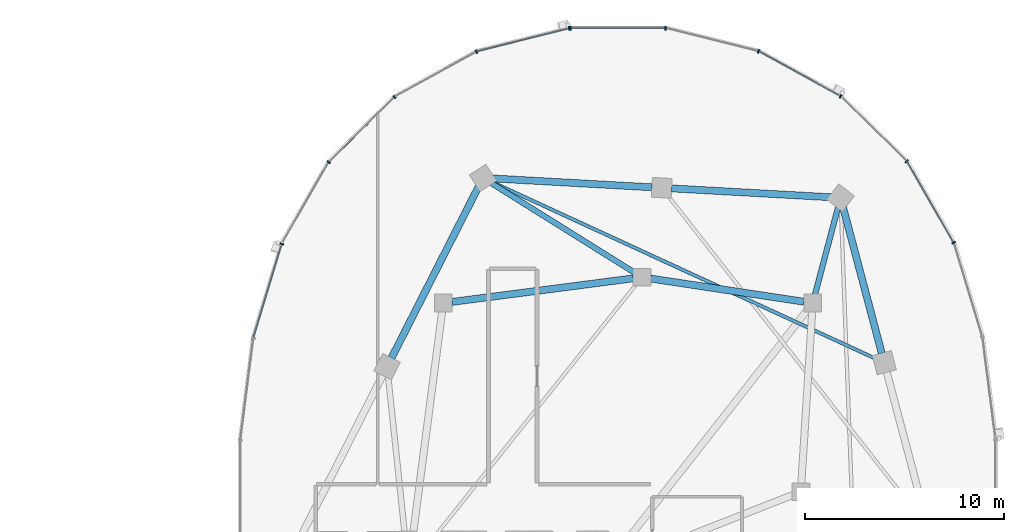
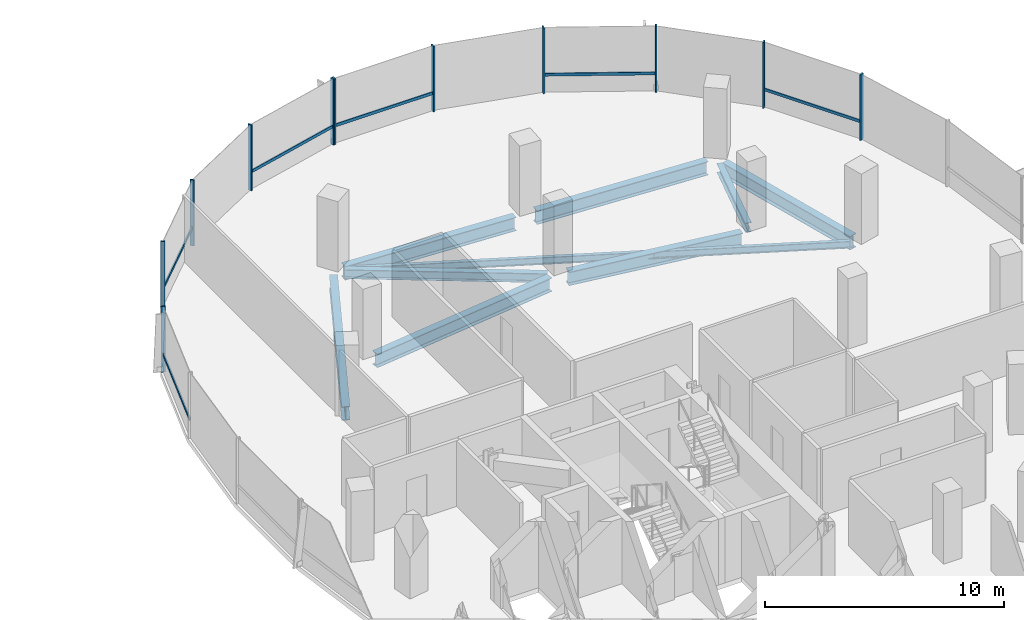
# One storey, part 9 of 22: 17 members, 9 beams, 2 elements without a shape of their own.
"""IFC4 building model written with IfcOpenShell, lengths in metres."""

from ifc_helpers import new_model, si_unit, direction, frame, origin, origin_2d, place, context, subcontext, project, spatial, rectangle, i_section, extrude, material, material_profile, profile_set, type_object, element, aggregate, save


model = new_model("IFC4")

# Units and contexts
model_context = context("Model", 3, precision=1e-05, world=origin(), true_north=direction((0.0, 1.0)))
body_context = subcontext(model_context, "Body", "Model", "MODEL_VIEW")
ifc_project = project(units=[si_unit("LENGTHUNIT", "METRE"), si_unit("AREAUNIT", "SQUARE_METRE"), si_unit("VOLUMEUNIT", "CUBIC_METRE"), si_unit("PLANEANGLEUNIT", "RADIAN"), si_unit("MASSUNIT", "GRAM", prefix="KILO"), si_unit("THERMODYNAMICTEMPERATUREUNIT", "KELVIN"), si_unit("POWERUNIT", "WATT")], contexts=[model_context])

# Site, building, storey
site_placement = place(None, origin())
site = spatial("IfcSite", under=ifc_project, at=site_placement, CompositionType="ELEMENT")
building_placement = place(site_placement, origin())
building = spatial("IfcBuilding", under=site, at=building_placement, Name="Cundina Bronze Exchange", CompositionType="ELEMENT")
storey_placement = place(building_placement, frame((0.0, 0.0, 140.39990234375)))
storey = spatial("IfcBuildingStorey", under=building, at=storey_placement, Name="L36", CompositionType="ELEMENT", Elevation=140.39990234375)

# Beams
ifc_material_1 = material(Name="Steel ASTM A992 Grade 50", Category="steel")
ifc_material_profile_1 = material_profile(ifc_material_1, i_section(OverallWidth=0.280029296875, OverallDepth=0.462890625, WebThickness=0.0107421875, FlangeThickness=0.017333984375, FilletRadius=0.011962890625, at=origin_2d()), Name="W18X76", Category="steel")
ifc_profile_set_1 = profile_set([ifc_material_profile_1], Name="Steel ASTM A992 Grade 50")
beam_type_1 = type_object("IfcBeamType", Name="BM-FLR-W18A", PredefinedType="BEAM", material=ifc_profile_set_1)
beam_1_placement = place(storey_placement, frame((41.911865234375, 9.923583984375, -0.471435546875), z_axis=(0.255413807463, 0.966831829719, 0.0), x_axis=(-0.966831829719, 0.255413807463, 0.0)))
element("IfcBeam", 1, at=beam_1_placement, inside=storey, type_object=beam_type_1, Name="L36 Leg E Chordal Floor Beam 10", PredefinedType="BEAM", context=body_context, shape_type="SweptSolid", body=[
    extrude(i_section(OverallWidth=0.280029296875, OverallDepth=0.462890625, WebThickness=0.0107421875, FlangeThickness=0.017333984375, FilletRadius=0.011962890625, at=origin_2d()), origin(), (0.0, 0.0, 1.0), 4.5556640625),
])
beam_2_placement = place(storey_placement, frame((32.82861328125, 11.031982421875, -0.471435546875), z_axis=(-0.847985407265, 0.530019574228, 0.0), x_axis=(-0.530019574228, -0.847985407265, 0.0)))
element("IfcBeam", 2, at=beam_2_placement, inside=storey, type_object=beam_type_1, Name="L36 Leg E Chordal Floor Beam 12", PredefinedType="BEAM", context=body_context, shape_type="SweptSolid", body=[
    extrude(i_section(OverallWidth=0.280029296875, OverallDepth=0.462890625, WebThickness=0.0107421875, FlangeThickness=0.017333984375, FilletRadius=0.011962890625, at=origin_2d()), origin(), (0.0, 0.0, 1.0), 8.50830078125),
])
ifc_material_profile_2 = material_profile(ifc_material_1, i_section(OverallWidth=0.172119140625, OverallDepth=0.35791015625, WebThickness=0.0078125, FlangeThickness=0.01318359375, FilletRadius=0.010009765625, at=origin_2d()), Name="W14X38", Category="steel")
ifc_profile_set_2 = profile_set([ifc_material_profile_2], Name="Steel ASTM A992 Grade 50")
beam_type_2 = type_object("IfcBeamType", Name="BM-JST-W14", PredefinedType="JOIST", material=ifc_profile_set_2)
beam_3_placement = place(storey_placement, frame((44.956787109375, 6.7041015625, -0.4189453125), z_axis=(-0.908353865734, 0.418202408655, 0.0), x_axis=(-0.418202408655, -0.908353865734, 0.0)))
element("IfcBeam", 3, at=beam_3_placement, inside=storey, type_object=beam_type_2, Name="L36 Leg E Lobe Floor Joist 09-12", PredefinedType="JOIST", context=body_context, shape_type="SweptSolid", body=[
    extrude(i_section(OverallWidth=0.172119140625, OverallDepth=0.35791015625, WebThickness=0.0078125, FlangeThickness=0.01318359375, FilletRadius=0.010009765625, at=origin_2d()), origin(), (0.0, 0.0, 1.0), 21.261962890625),
])
ifc_material_profile_3 = material_profile(ifc_material_1, i_section(OverallWidth=0.35498046875, OverallDepth=0.695068359375, WebThickness=0.015380859375, FlangeThickness=0.02490234375, FilletRadius=0.01806640625, at=origin_2d()), Name="W27X146", Category="steel")
ifc_profile_set_3 = profile_set([ifc_material_profile_3], Name="Steel ASTM A992 Grade 50")
beam_type_3 = type_object("IfcBeamType", Name="BM-RING-W27", PredefinedType="USERDEFINED", material=ifc_profile_set_3)
beam_4_placement = place(storey_placement, frame((41.366943359375, 9.5654296875, -0.58740234375), z_axis=(-0.988764903598, 0.149478979839, 0.0), x_axis=(-0.149478979839, -0.988764903598, 0.0)))
element("IfcBeam", 4, at=beam_4_placement, inside=storey, type_object=beam_type_3, Name="L36 E Inner Structural Ring Girder 05", ObjectType="GIRDER", PredefinedType="USERDEFINED", context=body_context, shape_type="SweptSolid", body=[
    extrude(i_section(OverallWidth=0.35498046875, OverallDepth=0.695068359375, WebThickness=0.015380859375, FlangeThickness=0.02490234375, FilletRadius=0.01806640625, at=origin_2d()), origin(), (0.0, 0.0, 1.0), 7.82177734375),
])
beam_5_placement = place(storey_placement, frame((32.765625, 10.743408203125, -0.58740234375), z_axis=(-0.991656498582, -0.128908451316, 0.0), x_axis=(0.128908451316, -0.991656498582, 0.0)))
element("IfcBeam", 5, at=beam_5_placement, inside=storey, type_object=beam_type_3, Name="L36 E Inner Structural Ring Girder 06", ObjectType="GIRDER", PredefinedType="USERDEFINED", context=body_context, shape_type="SweptSolid", body=[
    extrude(i_section(OverallWidth=0.35498046875, OverallDepth=0.695068359375, WebThickness=0.015380859375, FlangeThickness=0.02490234375, FilletRadius=0.01806640625, at=origin_2d()), origin(), (0.0, 0.0, 1.0), 9.208251953125),
])
beam_6_placement = place(storey_placement, frame((45.27490234375, 6.9716796875, -0.58740234375), z_axis=(-0.256210841755, 0.96662092082, 0.0), x_axis=(-0.96662092082, -0.256210841755, 0.0)))
element("IfcBeam", 6, at=beam_6_placement, inside=storey, type_object=beam_type_3, Name="L36 E Perimeter Ring Girder 09", ObjectType="GIRDER", PredefinedType="USERDEFINED", context=body_context, shape_type="SweptSolid", body=[
    extrude(i_section(OverallWidth=0.35498046875, OverallDepth=0.695068359375, WebThickness=0.015380859375, FlangeThickness=0.02490234375, FilletRadius=0.01806640625, at=origin_2d()), origin(), (0.0, 0.0, 1.0), 7.61083984375),
])
for number, where, z_axis, x_axis, name in (
    (7, (42.712890625, 14.8271484375, -0.58740234375), (-0.998460820451, 0.055461608559, 0.0), (-0.055461608559, -0.998460820451, 0.0), "L36 E Perimeter Ring Girder 10"),
    (8, (33.712890625, 15.3271484375, -0.58740234375), (-0.998460820451, 0.055461608559, 0.0), (-0.055461608559, -0.998460820451, 0.0), "L36 E Perimeter Ring Girder 11"),
):
    element("IfcBeam", number, at=place(storey_placement, frame(where, z_axis=z_axis, x_axis=x_axis)), inside=storey, type_object=beam_type_3, Name=name, ObjectType="GIRDER", PredefinedType="USERDEFINED", context=body_context, shape_type="SweptSolid", body=[
        extrude(i_section(OverallWidth=0.35498046875, OverallDepth=0.695068359375, WebThickness=0.015380859375, FlangeThickness=0.02490234375, FilletRadius=0.01806640625, at=origin_2d()), origin(), (0.0, 0.0, 1.0), 8.0380859375),
    ])
beam_7_placement = place(storey_placement, frame((24.97900390625, 15.364990234375, -0.58740234375), z_axis=(-0.452834585354, -0.891594548159, 0.0), x_axis=(0.891594548159, -0.452834585354, 0.0)))
element("IfcBeam", 9, at=beam_7_placement, inside=storey, type_object=beam_type_3, Name="L36 E Perimeter Ring Girder 12", ObjectType="GIRDER", PredefinedType="USERDEFINED", context=body_context, shape_type="SweptSolid", body=[
    extrude(i_section(OverallWidth=0.35498046875, OverallDepth=0.695068359375, WebThickness=0.015380859375, FlangeThickness=0.02490234375, FilletRadius=0.01806640625, at=origin_2d()), origin(), (0.0, 0.0, 1.0), 9.67919921875),
])

# Curtain wall, members
ifc_material_2 = material(Name="Anodised Bronze Aluminium 6063-T6", Category="aluminium")
curtain_wall_type = type_object("IfcCurtainWallType", Name="CWS-WST-PIN", PredefinedType="NOTDEFINED", material=ifc_material_2)
curtain_wall_1_placement = place(storey_placement, origin())
curtain_wall_1 = element("IfcCurtainWall", 10, at=curtain_wall_1_placement, inside=storey, type_object=curtain_wall_type, Name="L36 CW-04 Curtain Wall Run CWR-L36-E1", PredefinedType="NOTDEFINED")
ifc_material_profile_4 = material_profile(ifc_material_2, rectangle(XDim=0.070068359375, YDim=0.18994140625, at=origin_2d()), Name="AL70X190", Category="aluminium")
ifc_profile_set_4 = profile_set([ifc_material_profile_4], Name="Anodised Bronze Aluminium 6063-T6")
member_type_1 = type_object("IfcMemberType", Name="CWM-MUL-190", PredefinedType="MULLION", material=ifc_profile_set_4)
member_1_placement = place(storey_placement, frame((48.89794921875, 12.541259765625, 0.0), z_axis=(0.0, 0.0, 1.0), x_axis=(-0.498487739754, 0.866896748936, 0.0)))
member_1 = element("IfcMember", 11, at=member_1_placement, type_object=member_type_1, Name="CW-04 Mullion 3", PredefinedType="MULLION", context=body_context, shape_type="SweptSolid", body=[
    extrude(rectangle(XDim=0.070068359375, YDim=0.18994140625, at=origin_2d()), origin(), (0.0, 0.0, 1.0), 3.360107421875),
])
member_2_placement = place(storey_placement, frame((46.530517578125, 16.640380859375, 0.0), z_axis=(0.0, 0.0, 1.0), x_axis=(-0.712026045991, 0.702153052995, 0.0)))
member_2 = element("IfcMember", 12, at=member_2_placement, type_object=member_type_1, Name="CW-04 Mullion 4", PredefinedType="MULLION", context=body_context, shape_type="SweptSolid", body=[
    extrude(rectangle(XDim=0.070068359375, YDim=0.18994140625, at=origin_2d()), origin(), (0.0, 0.0, 1.0), 3.360107421875),
])
member_3_placement = place(storey_placement, frame((43.20654296875, 19.906005859375, 0.0), z_axis=(0.0, 0.0, 1.0), x_axis=(-0.875885937035, 0.482518212408, 0.0)))
member_3 = element("IfcMember", 13, at=member_3_placement, type_object=member_type_1, Name="CW-04 Mullion 5", PredefinedType="MULLION", context=body_context, shape_type="SweptSolid", body=[
    extrude(rectangle(XDim=0.070068359375, YDim=0.18994140625, at=origin_2d()), origin(), (0.0, 0.0, 1.0), 3.360107421875),
])
member_4_placement = place(storey_placement, frame((39.067626953125, 22.17626953125, 0.0), z_axis=(0.0, 0.0, 1.0), x_axis=(-0.970084240161, 0.242768546132, 0.0)))
member_4 = element("IfcMember", 14, at=member_4_placement, type_object=member_type_1, Name="CW-04 Mullion 6", PredefinedType="MULLION", context=body_context, shape_type="SweptSolid", body=[
    extrude(rectangle(XDim=0.070068359375, YDim=0.18994140625, at=origin_2d()), origin(), (0.0, 0.0, 1.0), 3.360107421875),
])
member_5_placement = place(storey_placement, frame((34.39404296875, 23.3369140625, 0.0), z_axis=(0.0, 0.0, 1.0), x_axis=(-1.0, 0.0, 0.0)))
member_5 = element("IfcMember", 15, at=member_5_placement, type_object=member_type_1, Name="CW-04 Mullion 7", PredefinedType="MULLION", context=body_context, shape_type="SweptSolid", body=[
    extrude(rectangle(XDim=0.070068359375, YDim=0.18994140625, at=origin_2d()), origin(), (0.0, 0.0, 1.0), 3.360107421875),
])
member_6_placement = place(storey_placement, frame((29.60595703125, 23.3369140625, 0.0), z_axis=(0.0, 0.0, 1.0), x_axis=(-1.0, 0.0, 0.0)))
member_6 = element("IfcMember", 16, at=member_6_placement, type_object=member_type_1, Name="CW-04 End Mullion", PredefinedType="MULLION", context=body_context, shape_type="SweptSolid", body=[
    extrude(rectangle(XDim=0.070068359375, YDim=0.18994140625, at=origin_2d()), origin(), (0.0, 0.0, 1.0), 3.360107421875),
])

curtain_wall_2_placement = place(storey_placement, origin())
curtain_wall_2 = element("IfcCurtainWall", 17, at=curtain_wall_2_placement, inside=storey, type_object=curtain_wall_type, Name="L36 CW-04 Curtain Wall Run CWR-L36-E2", PredefinedType="NOTDEFINED")
member_7_placement = place(storey_placement, frame((29.537353515625, 23.32861328125, 0.0), z_axis=(0.0, 0.0, 1.0), x_axis=(-0.970084240161, -0.242768546132, 0.0)))
member_7 = element("IfcMember", 18, at=member_7_placement, type_object=member_type_1, Name="CW-04 Mullion 1", PredefinedType="MULLION", context=body_context, shape_type="SweptSolid", body=[
    extrude(rectangle(XDim=0.070068359375, YDim=0.18994140625, at=origin_2d()), origin(), (0.0, 0.0, 1.0), 3.360107421875),
])
member_8_placement = place(storey_placement, frame((24.86962890625, 22.151611328125, 0.0), z_axis=(0.0, 0.0, 1.0), x_axis=(-0.875885937035, -0.482518212408, 0.0)))
member_8 = element("IfcMember", 19, at=member_8_placement, type_object=member_type_1, Name="CW-04 Mullion 2", PredefinedType="MULLION", context=body_context, shape_type="SweptSolid", body=[
    extrude(rectangle(XDim=0.070068359375, YDim=0.18994140625, at=origin_2d()), origin(), (0.0, 0.0, 1.0), 3.360107421875),
])
member_9_placement = place(storey_placement, frame((20.740966796875, 19.86669921875, 0.0), z_axis=(0.0, 0.0, 1.0), x_axis=(-0.712026045991, -0.702153052995, 0.0)))
member_9 = element("IfcMember", 20, at=member_9_placement, type_object=member_type_1, Name="CW-04 Mullion 3", PredefinedType="MULLION", context=body_context, shape_type="SweptSolid", body=[
    extrude(rectangle(XDim=0.070068359375, YDim=0.18994140625, at=origin_2d()), origin(), (0.0, 0.0, 1.0), 3.360107421875),
])
member_10_placement = place(storey_placement, frame((17.42919921875, 16.588134765625, 0.0), z_axis=(0.0, 0.0, 1.0), x_axis=(-0.498487739754, -0.866896748936, 0.0)))
member_10 = element("IfcMember", 21, at=member_10_placement, type_object=member_type_1, Name="CW-04 Mullion 4", PredefinedType="MULLION", context=body_context, shape_type="SweptSolid", body=[
    extrude(rectangle(XDim=0.070068359375, YDim=0.18994140625, at=origin_2d()), origin(), (0.0, 0.0, 1.0), 3.360107421875),
])
member_11_placement = place(storey_placement, frame((15.07373046875, 12.4755859375, 0.0), z_axis=(0.0, 0.0, 1.0), x_axis=(-0.290034140915, -0.957016299288, 0.0)))
member_11 = element("IfcMember", 22, at=member_11_placement, type_object=member_type_1, Name="CW-04 Mullion 5", PredefinedType="MULLION", context=body_context, shape_type="SweptSolid", body=[
    extrude(rectangle(XDim=0.070068359375, YDim=0.18994140625, at=origin_2d()), origin(), (0.0, 0.0, 1.0), 3.360107421875),
])

# Member
ifc_material_profile_5 = material_profile(ifc_material_2, rectangle(XDim=0.06494140625, YDim=0.14990234375, at=origin_2d()), Name="AL65X150", Category="aluminium")
ifc_profile_set_5 = profile_set([ifc_material_profile_5], Name="Anodised Bronze Aluminium 6063-T6")
member_type_2 = type_object("IfcMemberType", Name="CWM-TRN-150", PredefinedType="USERDEFINED", material=ifc_profile_set_5)
member_12_placement = place(storey_placement, frame((48.878662109375, 12.574462890625, 0.920166015625), z_axis=(-0.498479967047, 0.866901218394, 0.0), x_axis=(-0.866901218394, -0.498479967047, 0.0)))
member_12 = element("IfcMember", 23, at=member_12_placement, type_object=member_type_2, Name="CW-04 Spandrel Transom 3", ObjectType="TRANSOM", PredefinedType="USERDEFINED", context=body_context, shape_type="SweptSolid", body=[
    extrude(rectangle(XDim=0.06494140625, YDim=0.14990234375, at=origin_2d()), origin(), (0.0, 0.0, 1.0), 4.66845703125),
])

member_13_placement = place(storey_placement, frame((43.1728515625, 19.924560546875, 0.920166015625), z_axis=(-0.875878981549, 0.482530838062, 0.0), x_axis=(-0.482530838062, -0.875878981549, 0.0)))
member_13 = element("IfcMember", 24, at=member_13_placement, type_object=member_type_2, Name="CW-04 Spandrel Transom 5", ObjectType="TRANSOM", PredefinedType="USERDEFINED", context=body_context, shape_type="SweptSolid", body=[
    extrude(rectangle(XDim=0.06494140625, YDim=0.14990234375, at=origin_2d()), origin(), (0.0, 0.0, 1.0), 4.65380859375),
])

member_14_placement = place(storey_placement, frame((34.35546875, 23.3369140625, 0.920166015625), z_axis=(-1.0, 0.0, 0.0), x_axis=(0.0, -1.0, 0.0)))
member_14 = element("IfcMember", 25, at=member_14_placement, type_object=member_type_2, Name="CW-04 Spandrel Transom 7", ObjectType="TRANSOM", PredefinedType="USERDEFINED", context=body_context, shape_type="SweptSolid", body=[
    extrude(rectangle(XDim=0.06494140625, YDim=0.14990234375, at=origin_2d()), origin(), (0.0, 0.0, 1.0), 4.7109375),
])

aggregate(curtain_wall_1, [member_1, member_12, member_2, member_3, member_13, member_4, member_5, member_6, member_14])

member_15_placement = place(storey_placement, frame((29.5, 23.319091796875, 0.920166015625), z_axis=(-0.970100130035, -0.242705042606, 0.0), x_axis=(0.242705042606, -0.970100130035, 0.0)))
member_15 = element("IfcMember", 26, at=member_15_placement, type_object=member_type_2, Name="CW-04 Spandrel Transom 1", ObjectType="TRANSOM", PredefinedType="USERDEFINED", context=body_context, shape_type="SweptSolid", body=[
    extrude(rectangle(XDim=0.06494140625, YDim=0.14990234375, at=origin_2d()), origin(), (0.0, 0.0, 1.0), 4.746826171875),
])

member_16_placement = place(storey_placement, frame((20.71337890625, 19.839599609375, 0.920166015625), z_axis=(-0.712005023839, -0.702174370102, 0.0), x_axis=(0.702174370102, -0.712005023839, 0.0)))
member_16 = element("IfcMember", 27, at=member_16_placement, type_object=member_type_2, Name="CW-04 Spandrel Transom 3", ObjectType="TRANSOM", PredefinedType="USERDEFINED", context=body_context, shape_type="SweptSolid", body=[
    extrude(rectangle(XDim=0.06494140625, YDim=0.14990234375, at=origin_2d()), origin(), (0.0, 0.0, 1.0), 4.594482421875),
])

member_17_placement = place(storey_placement, frame((15.062744140625, 12.43896484375, 0.920166015625), z_axis=(-0.290051855969, -0.957010930371, 0.0), x_axis=(0.957010930371, -0.290051855969, 0.0)))
member_17 = element("IfcMember", 28, at=member_17_placement, type_object=member_type_2, Name="CW-04 Spandrel Transom 5", ObjectType="TRANSOM", PredefinedType="USERDEFINED", context=body_context, shape_type="SweptSolid", body=[
    extrude(rectangle(XDim=0.06494140625, YDim=0.14990234375, at=origin_2d()), origin(), (0.0, 0.0, 1.0), 4.876953125),
])

aggregate(curtain_wall_2, [member_7, member_15, member_8, member_9, member_16, member_10, member_11, member_17])

save(model, "model.ifc")
